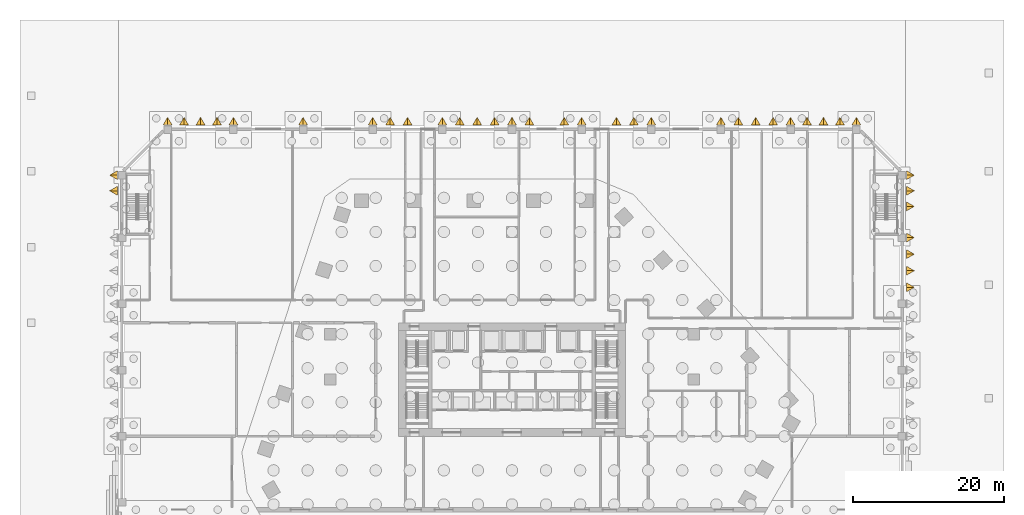
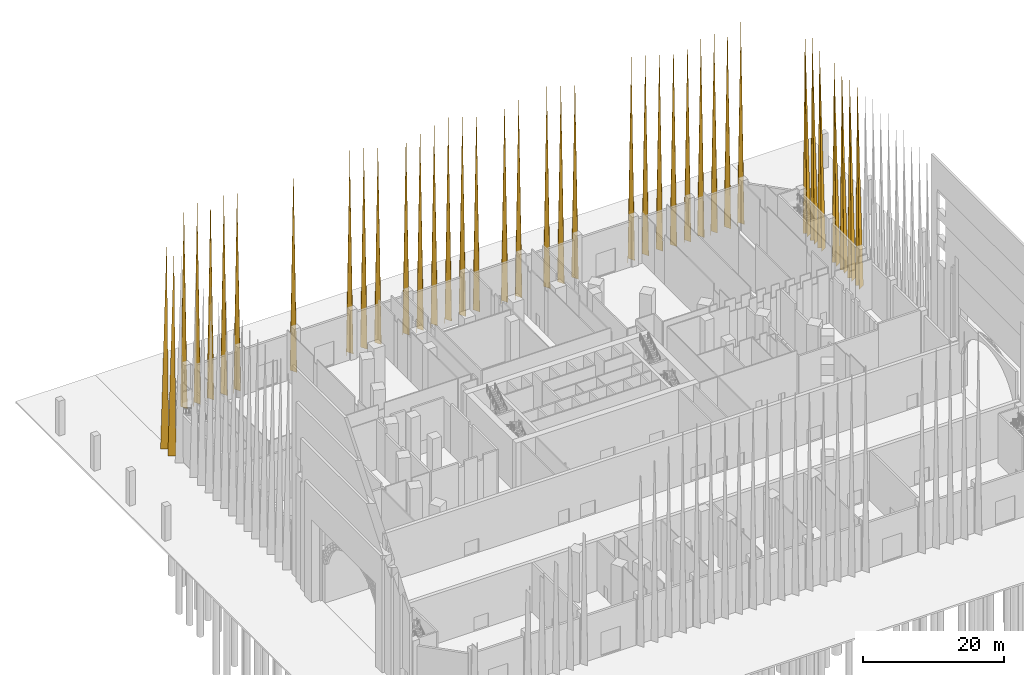
# One storey, part 30 of 32: 38 coverings.
"""IFC4 building model written with IfcOpenShell, lengths in metres."""

from ifc_helpers import new_model, si_unit, direction, origin, place, context, subcontext, project, spatial, polyline, outline, faceted_brep, material, material_profile, profile_set, type_object, element, save


model = new_model("IFC4")

# Units and contexts
model_context = context("Model", 3, precision=1e-05, world=origin(), true_north=direction((0.0, 1.0)))
body_context = subcontext(model_context, "Body", "Model", "MODEL_VIEW")
ifc_project = project(units=[si_unit("LENGTHUNIT", "METRE"), si_unit("AREAUNIT", "SQUARE_METRE"), si_unit("VOLUMEUNIT", "CUBIC_METRE"), si_unit("PLANEANGLEUNIT", "RADIAN"), si_unit("MASSUNIT", "GRAM", prefix="KILO")], contexts=[model_context])

# Site, building, storey
site_placement = place(None, origin())
site = spatial("IfcSite", under=ifc_project, at=site_placement, CompositionType="ELEMENT")
building_placement = place(site_placement, origin())
building = spatial("IfcBuilding", under=site, at=building_placement, Name="Isthmus Gate Tower", CompositionType="ELEMENT")
storey_placement = place(building_placement, origin())
storey = spatial("IfcBuildingStorey", under=building, at=storey_placement, Name="L00", CompositionType="ELEMENT", Elevation=0.0)

# Coverings
ifc_material = material(Name="Structural steel ASTM A572 Gr 50, white paint system", Category="steel")
ifc_material_profile = material_profile(ifc_material, outline(polyline([(0.0, -0.577392578125), (1.0, 0.0), (0.0, 0.577392578125), (0.0, 0.542724609375), (0.93994140625, 0.0), (0.0, -0.542724609375), (0.0, -0.577392578125)])), Name="PV1000")
ifc_profile_set = profile_set([ifc_material_profile], Name="Structural steel ASTM A572 Gr 50, white paint system")
covering_type = type_object("IfcCoveringType", Name="PODIUM FIN V 1000 DEEP", PredefinedType="CLADDING", material=ifc_profile_set)
covering_1_placement = place(storey_placement, origin())
element("IfcCovering", 1, at=covering_1_placement, inside=storey, type_object=covering_type, Name="PODIUM FIN", ObjectType="PODIUM FIN", PredefinedType="CLADDING", context=body_context, shape_type="Brep", body=[
    faceted_brep([(52.14990234375, 25.707275390625, 0.10009765625), (53.08984375, 26.25, 0.10009765625), (52.14990234375, 26.792724609375, 0.10009765625), (52.14990234375, 26.827392578125, 0.10009765625), (53.14990234375, 26.25, 0.10009765625), (52.14990234375, 25.672607421875, 0.10009765625), (52.14990234375, 26.25, 35.60009765625)], [[[0, 1, 2, 3, 4, 5]], [[5, 4, 6]], [[4, 3, 6]], [[3, 2, 6]], [[2, 1, 6]], [[1, 0, 6]], [[0, 5, 6]]]),
])
covering_2_placement = place(storey_placement, origin())
element("IfcCovering", 2, at=covering_2_placement, inside=storey, type_object=covering_type, Name="PODIUM FIN", ObjectType="PODIUM FIN", PredefinedType="CLADDING", context=body_context, shape_type="Brep", body=[
    faceted_brep([(52.14990234375, 33.957275390625, 0.10009765625), (53.08984375, 34.5, 0.10009765625), (52.14990234375, 35.042724609375, 0.10009765625), (52.14990234375, 35.077392578125, 0.10009765625), (53.14990234375, 34.5, 0.10009765625), (52.14990234375, 33.922607421875, 0.10009765625), (52.14990234375, 34.5, 35.60009765625)], [[[0, 1, 2, 3, 4, 5]], [[5, 4, 6]], [[4, 3, 6]], [[3, 2, 6]], [[2, 1, 6]], [[1, 0, 6]], [[0, 5, 6]]]),
])
covering_3_placement = place(storey_placement, origin())
element("IfcCovering", 3, at=covering_3_placement, inside=storey, type_object=covering_type, Name="PODIUM FIN", ObjectType="PODIUM FIN", PredefinedType="CLADDING", context=body_context, shape_type="Brep", body=[
    faceted_brep([(46.042724609375, 41.14990234375, 0.10009765625), (45.5, 42.08984375, 0.10009765625), (44.957275390625, 41.14990234375, 0.10009765625), (44.922607421875, 41.14990234375, 0.10009765625), (45.5, 42.14990234375, 0.10009765625), (46.077392578125, 41.14990234375, 0.10009765625), (45.5, 41.14990234375, 35.60009765625)], [[[0, 1, 2, 3, 4, 5]], [[5, 4, 6]], [[4, 3, 6]], [[3, 2, 6]], [[2, 1, 6]], [[1, 0, 6]], [[0, 5, 6]]]),
])
covering_4_placement = place(storey_placement, origin())
element("IfcCovering", 4, at=covering_4_placement, inside=storey, type_object=covering_type, Name="PODIUM FIN", ObjectType="PODIUM FIN", PredefinedType="CLADDING", context=body_context, shape_type="Brep", body=[
    faceted_brep([(37.3427734375, 41.14990234375, 0.10009765625), (36.800048828125, 42.08984375, 0.10009765625), (36.25732421875, 41.14990234375, 0.10009765625), (36.22265625, 41.14990234375, 0.10009765625), (36.800048828125, 42.14990234375, 0.10009765625), (37.37744140625, 41.14990234375, 0.10009765625), (36.800048828125, 41.14990234375, 35.60009765625)], [[[0, 1, 2, 3, 4, 5]], [[5, 4, 6]], [[4, 3, 6]], [[3, 2, 6]], [[2, 1, 6]], [[1, 0, 6]], [[0, 5, 6]]]),
])
covering_5_placement = place(storey_placement, origin())
element("IfcCovering", 5, at=covering_5_placement, inside=storey, type_object=covering_type, Name="PODIUM FIN", ObjectType="PODIUM FIN", PredefinedType="CLADDING", context=body_context, shape_type="Brep", body=[
    faceted_brep([(28.142822265625, 41.14990234375, 0.10009765625), (27.60009765625, 42.08984375, 0.10009765625), (27.057373046875, 41.14990234375, 0.10009765625), (27.022705078125, 41.14990234375, 0.10009765625), (27.60009765625, 42.14990234375, 0.10009765625), (28.177490234375, 41.14990234375, 0.10009765625), (27.60009765625, 41.14990234375, 35.60009765625)], [[[0, 1, 2, 3, 4, 5]], [[5, 4, 6]], [[4, 3, 6]], [[3, 2, 6]], [[2, 1, 6]], [[1, 0, 6]], [[0, 5, 6]]]),
])
covering_6_placement = place(storey_placement, origin())
element("IfcCovering", 6, at=covering_6_placement, inside=storey, type_object=covering_type, Name="PODIUM FIN", ObjectType="PODIUM FIN", PredefinedType="CLADDING", context=body_context, shape_type="Brep", body=[
    faceted_brep([(18.942626953125, 41.14990234375, 0.10009765625), (18.39990234375, 42.08984375, 0.10009765625), (17.857177734375, 41.14990234375, 0.10009765625), (17.822509765625, 41.14990234375, 0.10009765625), (18.39990234375, 42.14990234375, 0.10009765625), (18.977294921875, 41.14990234375, 0.10009765625), (18.39990234375, 41.14990234375, 35.60009765625)], [[[0, 1, 2, 3, 4, 5]], [[5, 4, 6]], [[4, 3, 6]], [[3, 2, 6]], [[2, 1, 6]], [[1, 0, 6]], [[0, 5, 6]]]),
])
covering_7_placement = place(storey_placement, origin())
element("IfcCovering", 7, at=covering_7_placement, inside=storey, type_object=covering_type, Name="PODIUM FIN", ObjectType="PODIUM FIN", PredefinedType="CLADDING", context=body_context, shape_type="Brep", body=[
    faceted_brep([(9.74267578125, 41.14990234375, 0.10009765625), (9.199951171875, 42.08984375, 0.10009765625), (8.6572265625, 41.14990234375, 0.10009765625), (8.62255859375, 41.14990234375, 0.10009765625), (9.199951171875, 42.14990234375, 0.10009765625), (9.77734375, 41.14990234375, 0.10009765625), (9.199951171875, 41.14990234375, 35.60009765625)], [[[0, 1, 2, 3, 4, 5]], [[5, 4, 6]], [[4, 3, 6]], [[3, 2, 6]], [[2, 1, 6]], [[1, 0, 6]], [[0, 5, 6]]]),
])
covering_8_placement = place(storey_placement, origin())
element("IfcCovering", 8, at=covering_8_placement, inside=storey, type_object=covering_type, Name="PODIUM FIN", ObjectType="PODIUM FIN", PredefinedType="CLADDING", context=body_context, shape_type="Brep", body=[
    faceted_brep([(0.542724609375, 41.14990234375, 0.10009765625), (0.0, 42.08984375, 0.10009765625), (-0.542724609375, 41.14990234375, 0.10009765625), (-0.577392578125, 41.14990234375, 0.10009765625), (0.0, 42.14990234375, 0.10009765625), (0.577392578125, 41.14990234375, 0.10009765625), (0.0, 41.14990234375, 35.60009765625)], [[[0, 1, 2, 3, 4, 5]], [[5, 4, 6]], [[4, 3, 6]], [[3, 2, 6]], [[2, 1, 6]], [[1, 0, 6]], [[0, 5, 6]]]),
])
covering_9_placement = place(storey_placement, origin())
element("IfcCovering", 9, at=covering_9_placement, inside=storey, type_object=covering_type, Name="PODIUM FIN", ObjectType="PODIUM FIN", PredefinedType="CLADDING", context=body_context, shape_type="Brep", body=[
    faceted_brep([(-8.6572265625, 41.14990234375, 0.10009765625), (-9.199951171875, 42.08984375, 0.10009765625), (-9.74267578125, 41.14990234375, 0.10009765625), (-9.77734375, 41.14990234375, 0.10009765625), (-9.199951171875, 42.14990234375, 0.10009765625), (-8.62255859375, 41.14990234375, 0.10009765625), (-9.199951171875, 41.14990234375, 35.60009765625)], [[[0, 1, 2, 3, 4, 5]], [[5, 4, 6]], [[4, 3, 6]], [[3, 2, 6]], [[2, 1, 6]], [[1, 0, 6]], [[0, 5, 6]]]),
])
covering_10_placement = place(storey_placement, origin())
element("IfcCovering", 10, at=covering_10_placement, inside=storey, type_object=covering_type, Name="PODIUM FIN", ObjectType="PODIUM FIN", PredefinedType="CLADDING", context=body_context, shape_type="Brep", body=[
    faceted_brep([(-17.857177734375, 41.14990234375, 0.10009765625), (-18.39990234375, 42.08984375, 0.10009765625), (-18.942626953125, 41.14990234375, 0.10009765625), (-18.977294921875, 41.14990234375, 0.10009765625), (-18.39990234375, 42.14990234375, 0.10009765625), (-17.822509765625, 41.14990234375, 0.10009765625), (-18.39990234375, 41.14990234375, 35.60009765625)], [[[0, 1, 2, 3, 4, 5]], [[5, 4, 6]], [[4, 3, 6]], [[3, 2, 6]], [[2, 1, 6]], [[1, 0, 6]], [[0, 5, 6]]]),
])
covering_11_placement = place(storey_placement, origin())
element("IfcCovering", 11, at=covering_11_placement, inside=storey, type_object=covering_type, Name="PODIUM FIN", ObjectType="PODIUM FIN", PredefinedType="CLADDING", context=body_context, shape_type="Brep", body=[
    faceted_brep([(-27.057373046875, 41.14990234375, 0.10009765625), (-27.60009765625, 42.08984375, 0.10009765625), (-28.142822265625, 41.14990234375, 0.10009765625), (-28.177490234375, 41.14990234375, 0.10009765625), (-27.60009765625, 42.14990234375, 0.10009765625), (-27.022705078125, 41.14990234375, 0.10009765625), (-27.60009765625, 41.14990234375, 35.60009765625)], [[[0, 1, 2, 3, 4, 5]], [[5, 4, 6]], [[4, 3, 6]], [[3, 2, 6]], [[2, 1, 6]], [[1, 0, 6]], [[0, 5, 6]]]),
])
covering_12_placement = place(storey_placement, origin())
element("IfcCovering", 12, at=covering_12_placement, inside=storey, type_object=covering_type, Name="PODIUM FIN", ObjectType="PODIUM FIN", PredefinedType="CLADDING", context=body_context, shape_type="Brep", body=[
    faceted_brep([(-36.25732421875, 41.14990234375, 0.10009765625), (-36.800048828125, 42.08984375, 0.10009765625), (-37.3427734375, 41.14990234375, 0.10009765625), (-37.37744140625, 41.14990234375, 0.10009765625), (-36.800048828125, 42.14990234375, 0.10009765625), (-36.22265625, 41.14990234375, 0.10009765625), (-36.800048828125, 41.14990234375, 35.60009765625)], [[[0, 1, 2, 3, 4, 5]], [[5, 4, 6]], [[4, 3, 6]], [[3, 2, 6]], [[2, 1, 6]], [[1, 0, 6]], [[0, 5, 6]]]),
])
covering_13_placement = place(storey_placement, origin())
element("IfcCovering", 13, at=covering_13_placement, inside=storey, type_object=covering_type, Name="PODIUM FIN", ObjectType="PODIUM FIN", PredefinedType="CLADDING", context=body_context, shape_type="Brep", body=[
    faceted_brep([(-44.957275390625, 41.14990234375, 0.10009765625), (-45.5, 42.08984375, 0.10009765625), (-46.042724609375, 41.14990234375, 0.10009765625), (-46.077392578125, 41.14990234375, 0.10009765625), (-45.5, 42.14990234375, 0.10009765625), (-44.922607421875, 41.14990234375, 0.10009765625), (-45.5, 41.14990234375, 35.60009765625)], [[[0, 1, 2, 3, 4, 5]], [[5, 4, 6]], [[4, 3, 6]], [[3, 2, 6]], [[2, 1, 6]], [[1, 0, 6]], [[0, 5, 6]]]),
])
covering_14_placement = place(storey_placement, origin())
element("IfcCovering", 14, at=covering_14_placement, inside=storey, type_object=covering_type, Name="PODIUM FIN", ObjectType="PODIUM FIN", PredefinedType="CLADDING", context=body_context, shape_type="Brep", body=[
    faceted_brep([(-52.14990234375, 35.042724609375, 0.10009765625), (-53.08984375, 34.5, 0.10009765625), (-52.14990234375, 33.957275390625, 0.10009765625), (-52.14990234375, 33.922607421875, 0.10009765625), (-53.14990234375, 34.5, 0.10009765625), (-52.14990234375, 35.077392578125, 0.10009765625), (-52.14990234375, 34.5, 35.60009765625)], [[[0, 1, 2, 3, 4, 5]], [[5, 4, 6]], [[4, 3, 6]], [[3, 2, 6]], [[2, 1, 6]], [[1, 0, 6]], [[0, 5, 6]]]),
])
covering_15_placement = place(storey_placement, origin())
element("IfcCovering", 15, at=covering_15_placement, inside=storey, type_object=covering_type, Name="PODIUM FIN", ObjectType="PODIUM FIN", PredefinedType="CLADDING", context=body_context, shape_type="Brep", body=[
    faceted_brep([(52.14990234375, 19.144775390625, 0.10009765625), (53.08984375, 19.6875, 0.10009765625), (52.14990234375, 20.230224609375, 0.10009765625), (52.14990234375, 20.264892578125, 0.10009765625), (53.14990234375, 19.6875, 0.10009765625), (52.14990234375, 19.110107421875, 0.10009765625), (52.14990234375, 19.6875, 35.60009765625)], [[[0, 1, 2, 3, 4, 5]], [[5, 4, 6]], [[4, 3, 6]], [[3, 2, 6]], [[2, 1, 6]], [[1, 0, 6]], [[0, 5, 6]]]),
])
covering_16_placement = place(storey_placement, origin())
element("IfcCovering", 16, at=covering_16_placement, inside=storey, type_object=covering_type, Name="PODIUM FIN", ObjectType="PODIUM FIN", PredefinedType="CLADDING", context=body_context, shape_type="Brep", body=[
    faceted_brep([(52.14990234375, 21.332275390625, 0.10009765625), (53.08984375, 21.875, 0.10009765625), (52.14990234375, 22.417724609375, 0.10009765625), (52.14990234375, 22.452392578125, 0.10009765625), (53.14990234375, 21.875, 0.10009765625), (52.14990234375, 21.297607421875, 0.10009765625), (52.14990234375, 21.875, 35.60009765625)], [[[0, 1, 2, 3, 4, 5]], [[5, 4, 6]], [[4, 3, 6]], [[3, 2, 6]], [[2, 1, 6]], [[1, 0, 6]], [[0, 5, 6]]]),
])
covering_17_placement = place(storey_placement, origin())
element("IfcCovering", 17, at=covering_17_placement, inside=storey, type_object=covering_type, Name="PODIUM FIN", ObjectType="PODIUM FIN", PredefinedType="CLADDING", context=body_context, shape_type="Brep", body=[
    faceted_brep([(52.14990234375, 23.519775390625, 0.10009765625), (53.08984375, 24.0625, 0.10009765625), (52.14990234375, 24.605224609375, 0.10009765625), (52.14990234375, 24.639892578125, 0.10009765625), (53.14990234375, 24.0625, 0.10009765625), (52.14990234375, 23.485107421875, 0.10009765625), (52.14990234375, 24.0625, 35.60009765625)], [[[0, 1, 2, 3, 4, 5]], [[5, 4, 6]], [[4, 3, 6]], [[3, 2, 6]], [[2, 1, 6]], [[1, 0, 6]], [[0, 5, 6]]]),
])
covering_18_placement = place(storey_placement, origin())
element("IfcCovering", 18, at=covering_18_placement, inside=storey, type_object=covering_type, Name="PODIUM FIN", ObjectType="PODIUM FIN", PredefinedType="CLADDING", context=body_context, shape_type="Brep", body=[
    faceted_brep([(52.14990234375, 29.832275390625, 0.10009765625), (53.08984375, 30.375, 0.10009765625), (52.14990234375, 30.917724609375, 0.10009765625), (52.14990234375, 30.952392578125, 0.10009765625), (53.14990234375, 30.375, 0.10009765625), (52.14990234375, 29.797607421875, 0.10009765625), (52.14990234375, 30.375, 35.60009765625)], [[[0, 1, 2, 3, 4, 5]], [[5, 4, 6]], [[4, 3, 6]], [[3, 2, 6]], [[2, 1, 6]], [[1, 0, 6]], [[0, 5, 6]]]),
])
covering_19_placement = place(storey_placement, origin())
element("IfcCovering", 19, at=covering_19_placement, inside=storey, type_object=covering_type, Name="PODIUM FIN", ObjectType="PODIUM FIN", PredefinedType="CLADDING", context=body_context, shape_type="Brep", body=[
    faceted_brep([(52.14990234375, 31.894775390625, 0.10009765625), (53.08984375, 32.4375, 0.10009765625), (52.14990234375, 32.980224609375, 0.10009765625), (52.14990234375, 33.014892578125, 0.10009765625), (53.14990234375, 32.4375, 0.10009765625), (52.14990234375, 31.860107421875, 0.10009765625), (52.14990234375, 32.4375, 35.60009765625)], [[[0, 1, 2, 3, 4, 5]], [[5, 4, 6]], [[4, 3, 6]], [[3, 2, 6]], [[2, 1, 6]], [[1, 0, 6]], [[0, 5, 6]]]),
])
covering_20_placement = place(storey_placement, origin())
element("IfcCovering", 20, at=covering_20_placement, inside=storey, type_object=covering_type, Name="PODIUM FIN", ObjectType="PODIUM FIN", PredefinedType="CLADDING", context=body_context, shape_type="Brep", body=[
    faceted_brep([(43.86767578125, 41.14990234375, 0.10009765625), (43.324951171875, 42.08984375, 0.10009765625), (42.7822265625, 41.14990234375, 0.10009765625), (42.74755859375, 41.14990234375, 0.10009765625), (43.324951171875, 42.14990234375, 0.10009765625), (43.90234375, 41.14990234375, 0.10009765625), (43.324951171875, 41.14990234375, 35.60009765625)], [[[0, 1, 2, 3, 4, 5]], [[5, 4, 6]], [[4, 3, 6]], [[3, 2, 6]], [[2, 1, 6]], [[1, 0, 6]], [[0, 5, 6]]]),
])
covering_21_placement = place(storey_placement, origin())
element("IfcCovering", 21, at=covering_21_placement, inside=storey, type_object=covering_type, Name="PODIUM FIN", ObjectType="PODIUM FIN", PredefinedType="CLADDING", context=body_context, shape_type="Brep", body=[
    faceted_brep([(41.692626953125, 41.14990234375, 0.10009765625), (41.14990234375, 42.08984375, 0.10009765625), (40.607177734375, 41.14990234375, 0.10009765625), (40.572509765625, 41.14990234375, 0.10009765625), (41.14990234375, 42.14990234375, 0.10009765625), (41.727294921875, 41.14990234375, 0.10009765625), (41.14990234375, 41.14990234375, 35.60009765625)], [[[0, 1, 2, 3, 4, 5]], [[5, 4, 6]], [[4, 3, 6]], [[3, 2, 6]], [[2, 1, 6]], [[1, 0, 6]], [[0, 5, 6]]]),
])
covering_22_placement = place(storey_placement, origin())
element("IfcCovering", 22, at=covering_22_placement, inside=storey, type_object=covering_type, Name="PODIUM FIN", ObjectType="PODIUM FIN", PredefinedType="CLADDING", context=body_context, shape_type="Brep", body=[
    faceted_brep([(39.517822265625, 41.14990234375, 0.10009765625), (38.97509765625, 42.08984375, 0.10009765625), (38.432373046875, 41.14990234375, 0.10009765625), (38.397705078125, 41.14990234375, 0.10009765625), (38.97509765625, 42.14990234375, 0.10009765625), (39.552490234375, 41.14990234375, 0.10009765625), (38.97509765625, 41.14990234375, 35.60009765625)], [[[0, 1, 2, 3, 4, 5]], [[5, 4, 6]], [[4, 3, 6]], [[3, 2, 6]], [[2, 1, 6]], [[1, 0, 6]], [[0, 5, 6]]]),
])
covering_23_placement = place(storey_placement, origin())
element("IfcCovering", 23, at=covering_23_placement, inside=storey, type_object=covering_type, Name="PODIUM FIN", ObjectType="PODIUM FIN", PredefinedType="CLADDING", context=body_context, shape_type="Brep", body=[
    faceted_brep([(35.042724609375, 41.14990234375, 0.10009765625), (34.5, 42.08984375, 0.10009765625), (33.957275390625, 41.14990234375, 0.10009765625), (33.922607421875, 41.14990234375, 0.10009765625), (34.5, 42.14990234375, 0.10009765625), (35.077392578125, 41.14990234375, 0.10009765625), (34.5, 41.14990234375, 35.60009765625)], [[[0, 1, 2, 3, 4, 5]], [[5, 4, 6]], [[4, 3, 6]], [[3, 2, 6]], [[2, 1, 6]], [[1, 0, 6]], [[0, 5, 6]]]),
])
covering_24_placement = place(storey_placement, origin())
element("IfcCovering", 24, at=covering_24_placement, inside=storey, type_object=covering_type, Name="PODIUM FIN", ObjectType="PODIUM FIN", PredefinedType="CLADDING", context=body_context, shape_type="Brep", body=[
    faceted_brep([(32.74267578125, 41.14990234375, 0.10009765625), (32.199951171875, 42.08984375, 0.10009765625), (31.6572265625, 41.14990234375, 0.10009765625), (31.62255859375, 41.14990234375, 0.10009765625), (32.199951171875, 42.14990234375, 0.10009765625), (32.77734375, 41.14990234375, 0.10009765625), (32.199951171875, 41.14990234375, 35.60009765625)], [[[0, 1, 2, 3, 4, 5]], [[5, 4, 6]], [[4, 3, 6]], [[3, 2, 6]], [[2, 1, 6]], [[1, 0, 6]], [[0, 5, 6]]]),
])
covering_25_placement = place(storey_placement, origin())
element("IfcCovering", 25, at=covering_25_placement, inside=storey, type_object=covering_type, Name="PODIUM FIN", ObjectType="PODIUM FIN", PredefinedType="CLADDING", context=body_context, shape_type="Brep", body=[
    faceted_brep([(30.442626953125, 41.14990234375, 0.10009765625), (29.89990234375, 42.08984375, 0.10009765625), (29.357177734375, 41.14990234375, 0.10009765625), (29.322509765625, 41.14990234375, 0.10009765625), (29.89990234375, 42.14990234375, 0.10009765625), (30.477294921875, 41.14990234375, 0.10009765625), (29.89990234375, 41.14990234375, 35.60009765625)], [[[0, 1, 2, 3, 4, 5]], [[5, 4, 6]], [[4, 3, 6]], [[3, 2, 6]], [[2, 1, 6]], [[1, 0, 6]], [[0, 5, 6]]]),
])
covering_26_placement = place(storey_placement, origin())
element("IfcCovering", 26, at=covering_26_placement, inside=storey, type_object=covering_type, Name="PODIUM FIN", ObjectType="PODIUM FIN", PredefinedType="CLADDING", context=body_context, shape_type="Brep", body=[
    faceted_brep([(16.642822265625, 41.14990234375, 0.10009765625), (16.10009765625, 42.08984375, 0.10009765625), (15.557373046875, 41.14990234375, 0.10009765625), (15.522705078125, 41.14990234375, 0.10009765625), (16.10009765625, 42.14990234375, 0.10009765625), (16.677490234375, 41.14990234375, 0.10009765625), (16.10009765625, 41.14990234375, 35.60009765625)], [[[0, 1, 2, 3, 4, 5]], [[5, 4, 6]], [[4, 3, 6]], [[3, 2, 6]], [[2, 1, 6]], [[1, 0, 6]], [[0, 5, 6]]]),
])
covering_27_placement = place(storey_placement, origin())
element("IfcCovering", 27, at=covering_27_placement, inside=storey, type_object=covering_type, Name="PODIUM FIN", ObjectType="PODIUM FIN", PredefinedType="CLADDING", context=body_context, shape_type="Brep", body=[
    faceted_brep([(14.3427734375, 41.14990234375, 0.10009765625), (13.800048828125, 42.08984375, 0.10009765625), (13.25732421875, 41.14990234375, 0.10009765625), (13.22265625, 41.14990234375, 0.10009765625), (13.800048828125, 42.14990234375, 0.10009765625), (14.37744140625, 41.14990234375, 0.10009765625), (13.800048828125, 41.14990234375, 35.60009765625)], [[[0, 1, 2, 3, 4, 5]], [[5, 4, 6]], [[4, 3, 6]], [[3, 2, 6]], [[2, 1, 6]], [[1, 0, 6]], [[0, 5, 6]]]),
])
covering_28_placement = place(storey_placement, origin())
element("IfcCovering", 28, at=covering_28_placement, inside=storey, type_object=covering_type, Name="PODIUM FIN", ObjectType="PODIUM FIN", PredefinedType="CLADDING", context=body_context, shape_type="Brep", body=[
    faceted_brep([(7.442626953125, 41.14990234375, 0.10009765625), (6.89990234375, 42.08984375, 0.10009765625), (6.357177734375, 41.14990234375, 0.10009765625), (6.322509765625, 41.14990234375, 0.10009765625), (6.89990234375, 42.14990234375, 0.10009765625), (7.477294921875, 41.14990234375, 0.10009765625), (6.89990234375, 41.14990234375, 35.60009765625)], [[[0, 1, 2, 3, 4, 5]], [[5, 4, 6]], [[4, 3, 6]], [[3, 2, 6]], [[2, 1, 6]], [[1, 0, 6]], [[0, 5, 6]]]),
])
covering_29_placement = place(storey_placement, origin())
element("IfcCovering", 29, at=covering_29_placement, inside=storey, type_object=covering_type, Name="PODIUM FIN", ObjectType="PODIUM FIN", PredefinedType="CLADDING", context=body_context, shape_type="Brep", body=[
    faceted_brep([(2.8427734375, 41.14990234375, 0.10009765625), (2.300048828125, 42.08984375, 0.10009765625), (1.75732421875, 41.14990234375, 0.10009765625), (1.72265625, 41.14990234375, 0.10009765625), (2.300048828125, 42.14990234375, 0.10009765625), (2.87744140625, 41.14990234375, 0.10009765625), (2.300048828125, 41.14990234375, 35.60009765625)], [[[0, 1, 2, 3, 4, 5]], [[5, 4, 6]], [[4, 3, 6]], [[3, 2, 6]], [[2, 1, 6]], [[1, 0, 6]], [[0, 5, 6]]]),
])
covering_30_placement = place(storey_placement, origin())
element("IfcCovering", 30, at=covering_30_placement, inside=storey, type_object=covering_type, Name="PODIUM FIN", ObjectType="PODIUM FIN", PredefinedType="CLADDING", context=body_context, shape_type="Brep", body=[
    faceted_brep([(-1.75732421875, 41.14990234375, 0.10009765625), (-2.300048828125, 42.08984375, 0.10009765625), (-2.8427734375, 41.14990234375, 0.10009765625), (-2.87744140625, 41.14990234375, 0.10009765625), (-2.300048828125, 42.14990234375, 0.10009765625), (-1.72265625, 41.14990234375, 0.10009765625), (-2.300048828125, 41.14990234375, 35.60009765625)], [[[0, 1, 2, 3, 4, 5]], [[5, 4, 6]], [[4, 3, 6]], [[3, 2, 6]], [[2, 1, 6]], [[1, 0, 6]], [[0, 5, 6]]]),
])
covering_31_placement = place(storey_placement, origin())
element("IfcCovering", 31, at=covering_31_placement, inside=storey, type_object=covering_type, Name="PODIUM FIN", ObjectType="PODIUM FIN", PredefinedType="CLADDING", context=body_context, shape_type="Brep", body=[
    faceted_brep([(-4.057373046875, 41.14990234375, 0.10009765625), (-4.60009765625, 42.08984375, 0.10009765625), (-5.142822265625, 41.14990234375, 0.10009765625), (-5.177490234375, 41.14990234375, 0.10009765625), (-4.60009765625, 42.14990234375, 0.10009765625), (-4.022705078125, 41.14990234375, 0.10009765625), (-4.60009765625, 41.14990234375, 35.60009765625)], [[[0, 1, 2, 3, 4, 5]], [[5, 4, 6]], [[4, 3, 6]], [[3, 2, 6]], [[2, 1, 6]], [[1, 0, 6]], [[0, 5, 6]]]),
])
covering_32_placement = place(storey_placement, origin())
element("IfcCovering", 32, at=covering_32_placement, inside=storey, type_object=covering_type, Name="PODIUM FIN", ObjectType="PODIUM FIN", PredefinedType="CLADDING", context=body_context, shape_type="Brep", body=[
    faceted_brep([(-6.357177734375, 41.14990234375, 0.10009765625), (-6.89990234375, 42.08984375, 0.10009765625), (-7.442626953125, 41.14990234375, 0.10009765625), (-7.477294921875, 41.14990234375, 0.10009765625), (-6.89990234375, 42.14990234375, 0.10009765625), (-6.322509765625, 41.14990234375, 0.10009765625), (-6.89990234375, 41.14990234375, 35.60009765625)], [[[0, 1, 2, 3, 4, 5]], [[5, 4, 6]], [[4, 3, 6]], [[3, 2, 6]], [[2, 1, 6]], [[1, 0, 6]], [[0, 5, 6]]]),
])
covering_33_placement = place(storey_placement, origin())
element("IfcCovering", 33, at=covering_33_placement, inside=storey, type_object=covering_type, Name="PODIUM FIN", ObjectType="PODIUM FIN", PredefinedType="CLADDING", context=body_context, shape_type="Brep", body=[
    faceted_brep([(-13.25732421875, 41.14990234375, 0.10009765625), (-13.800048828125, 42.08984375, 0.10009765625), (-14.3427734375, 41.14990234375, 0.10009765625), (-14.37744140625, 41.14990234375, 0.10009765625), (-13.800048828125, 42.14990234375, 0.10009765625), (-13.22265625, 41.14990234375, 0.10009765625), (-13.800048828125, 41.14990234375, 35.60009765625)], [[[0, 1, 2, 3, 4, 5]], [[5, 4, 6]], [[4, 3, 6]], [[3, 2, 6]], [[2, 1, 6]], [[1, 0, 6]], [[0, 5, 6]]]),
])
covering_34_placement = place(storey_placement, origin())
element("IfcCovering", 34, at=covering_34_placement, inside=storey, type_object=covering_type, Name="PODIUM FIN", ObjectType="PODIUM FIN", PredefinedType="CLADDING", context=body_context, shape_type="Brep", body=[
    faceted_brep([(-15.557373046875, 41.14990234375, 0.10009765625), (-16.10009765625, 42.08984375, 0.10009765625), (-16.642822265625, 41.14990234375, 0.10009765625), (-16.677490234375, 41.14990234375, 0.10009765625), (-16.10009765625, 42.14990234375, 0.10009765625), (-15.522705078125, 41.14990234375, 0.10009765625), (-16.10009765625, 41.14990234375, 35.60009765625)], [[[0, 1, 2, 3, 4, 5]], [[5, 4, 6]], [[4, 3, 6]], [[3, 2, 6]], [[2, 1, 6]], [[1, 0, 6]], [[0, 5, 6]]]),
])
covering_35_placement = place(storey_placement, origin())
element("IfcCovering", 35, at=covering_35_placement, inside=storey, type_object=covering_type, Name="PODIUM FIN", ObjectType="PODIUM FIN", PredefinedType="CLADDING", context=body_context, shape_type="Brep", body=[
    faceted_brep([(-38.432373046875, 41.14990234375, 0.10009765625), (-38.97509765625, 42.08984375, 0.10009765625), (-39.517822265625, 41.14990234375, 0.10009765625), (-39.552490234375, 41.14990234375, 0.10009765625), (-38.97509765625, 42.14990234375, 0.10009765625), (-38.397705078125, 41.14990234375, 0.10009765625), (-38.97509765625, 41.14990234375, 35.60009765625)], [[[0, 1, 2, 3, 4, 5]], [[5, 4, 6]], [[4, 3, 6]], [[3, 2, 6]], [[2, 1, 6]], [[1, 0, 6]], [[0, 5, 6]]]),
])
covering_36_placement = place(storey_placement, origin())
element("IfcCovering", 36, at=covering_36_placement, inside=storey, type_object=covering_type, Name="PODIUM FIN", ObjectType="PODIUM FIN", PredefinedType="CLADDING", context=body_context, shape_type="Brep", body=[
    faceted_brep([(-40.607177734375, 41.14990234375, 0.10009765625), (-41.14990234375, 42.08984375, 0.10009765625), (-41.692626953125, 41.14990234375, 0.10009765625), (-41.727294921875, 41.14990234375, 0.10009765625), (-41.14990234375, 42.14990234375, 0.10009765625), (-40.572509765625, 41.14990234375, 0.10009765625), (-41.14990234375, 41.14990234375, 35.60009765625)], [[[0, 1, 2, 3, 4, 5]], [[5, 4, 6]], [[4, 3, 6]], [[3, 2, 6]], [[2, 1, 6]], [[1, 0, 6]], [[0, 5, 6]]]),
])
covering_37_placement = place(storey_placement, origin())
element("IfcCovering", 37, at=covering_37_placement, inside=storey, type_object=covering_type, Name="PODIUM FIN", ObjectType="PODIUM FIN", PredefinedType="CLADDING", context=body_context, shape_type="Brep", body=[
    faceted_brep([(-42.7822265625, 41.14990234375, 0.10009765625), (-43.324951171875, 42.08984375, 0.10009765625), (-43.86767578125, 41.14990234375, 0.10009765625), (-43.90234375, 41.14990234375, 0.10009765625), (-43.324951171875, 42.14990234375, 0.10009765625), (-42.74755859375, 41.14990234375, 0.10009765625), (-43.324951171875, 41.14990234375, 35.60009765625)], [[[0, 1, 2, 3, 4, 5]], [[5, 4, 6]], [[4, 3, 6]], [[3, 2, 6]], [[2, 1, 6]], [[1, 0, 6]], [[0, 5, 6]]]),
])
covering_38_placement = place(storey_placement, origin())
element("IfcCovering", 38, at=covering_38_placement, inside=storey, type_object=covering_type, Name="PODIUM FIN", ObjectType="PODIUM FIN", PredefinedType="CLADDING", context=body_context, shape_type="Brep", body=[
    faceted_brep([(-52.14990234375, 32.980224609375, 0.10009765625), (-53.08984375, 32.4375, 0.10009765625), (-52.14990234375, 31.894775390625, 0.10009765625), (-52.14990234375, 31.860107421875, 0.10009765625), (-53.14990234375, 32.4375, 0.10009765625), (-52.14990234375, 33.014892578125, 0.10009765625), (-52.14990234375, 32.4375, 35.60009765625)], [[[0, 1, 2, 3, 4, 5]], [[5, 4, 6]], [[4, 3, 6]], [[3, 2, 6]], [[2, 1, 6]], [[1, 0, 6]], [[0, 5, 6]]]),
])

save(model, "model.ifc")
